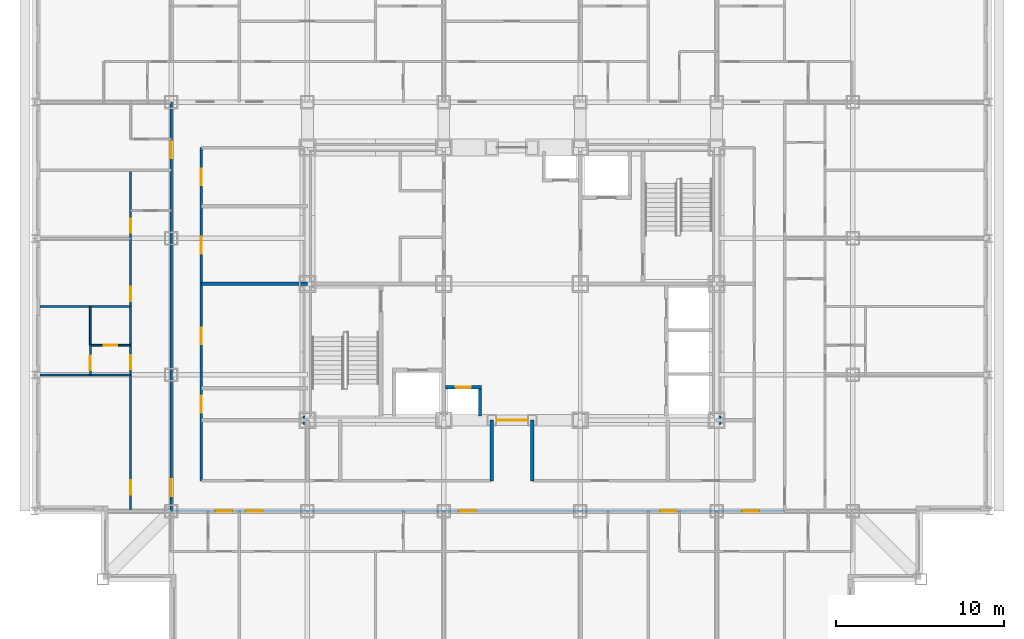
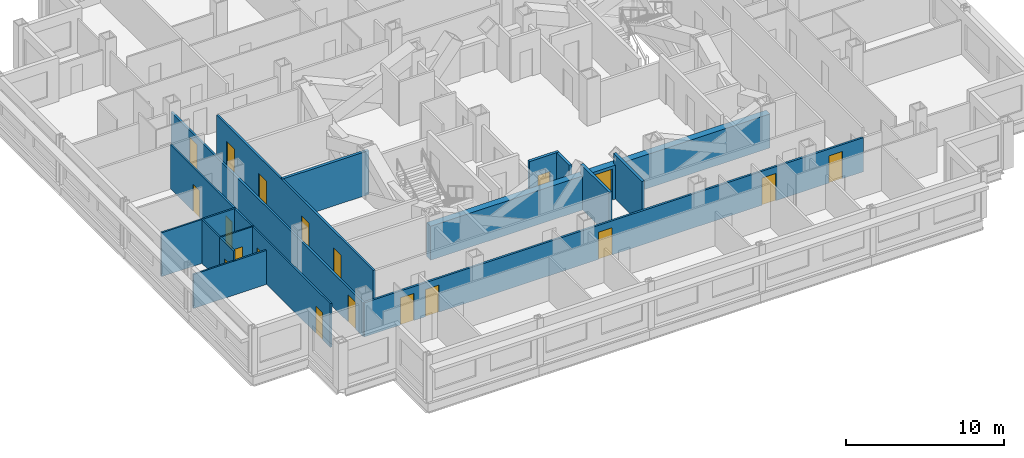
# One storey, part 5 of 12: 19 doors, 15 walls, 19 openings.
"""IFC4 building model written with IfcOpenShell, lengths in metres."""

from ifc_helpers import new_model, si_unit, direction, frame, frame_2d, origin, place, context, subcontext, project, spatial, rectangle, extrude, material, layer, layer_set, type_object, element, fill, save


model = new_model("IFC4")

# Units and contexts
model_context = context("Model", 3, precision=1e-05, world=origin(), true_north=direction((0.0, 1.0)))
body_context = subcontext(model_context, "Body", "Model", "MODEL_VIEW")
ifc_project = project(units=[si_unit("LENGTHUNIT", "METRE"), si_unit("AREAUNIT", "SQUARE_METRE"), si_unit("VOLUMEUNIT", "CUBIC_METRE"), si_unit("PLANEANGLEUNIT", "RADIAN"), si_unit("MASSUNIT", "GRAM", prefix="KILO")], contexts=[model_context])

# Site, building, storey
site_placement = place(None, origin())
site = spatial("IfcSite", under=ifc_project, at=site_placement, CompositionType="ELEMENT")
building_placement = place(site_placement, origin())
building = spatial("IfcBuilding", under=site, at=building_placement, Name="Kopane Lantern Tower", CompositionType="ELEMENT")
storey_placement = place(building_placement, frame((0.0, 0.0, 228.0)))
storey = spatial("IfcBuildingStorey", under=building, at=storey_placement, Name="L59", CompositionType="ELEMENT", Elevation=228.0)

# Wall, openings, doors
ifc_material_1 = material(Name="Gypsum board on steel studs", Category="steel")
ifc_layer_1 = layer(ifc_material_1, 0.1201171875)
ifc_layer_set_1 = layer_set([ifc_layer_1], Name="APARTMENT INTERNAL WALL 120")
wall_type_1 = type_object("IfcWallType", Name="APARTMENT INTERNAL WALL 120", PredefinedType="PARTITIONING", material=ifc_layer_set_1)
wall_1_placement = place(storey_placement, frame((5.699951171875, 18.89990234375, 0.0), z_axis=(0.0, 0.0, 1.0), x_axis=(0.0, 1.0, 0.0)))
wall_1 = element("IfcWall", 1, at=wall_1_placement, inside=storey, type_object=wall_type_1, Name="Apartment Internal Wall 120 L59", PredefinedType="PARTITIONING", context=body_context, shape_type="SweptSolid", body=[
    extrude(rectangle(XDim=20.25, YDim=0.1201171875, at=frame_2d((10.125, 0.0))), origin(), (0.0, 0.0, 1.0), 3.389892578125),
])
opening_1_placement = place(wall_1_placement, frame((0.97509765625, 0.0, 0.0)))
opening_1 = element("IfcOpeningElement", 2, at=opening_1_placement, cuts=wall_1, Name="Opening L59-034", PredefinedType="OPENING", context=body_context, shape_type="SweptSolid", body=[
    extrude(rectangle(XDim=0.85009765625, YDim=2.10009765625, at=frame_2d((0.425048828125, 1.050048828125))), frame((0.0, 0.070068359375, 0.0), z_axis=(0.0, -1.0, 0.0), x_axis=(1.0, 0.0, 0.0)), (0.0, 0.0, 1.0), 0.14013671875),
])
opening_2_placement = place(wall_1_placement, frame((8.425048828125, 0.0, 0.0)))
opening_2 = element("IfcOpeningElement", 3, at=opening_2_placement, cuts=wall_1, Name="Opening L59-036", PredefinedType="OPENING", context=body_context, shape_type="SweptSolid", body=[
    extrude(rectangle(XDim=0.85009765625, YDim=2.10009765625, at=frame_2d((0.425048828125, 1.050048828125))), frame((0.0, 0.070068359375, 0.0), z_axis=(0.0, -1.0, 0.0), x_axis=(1.0, 0.0, 0.0)), (0.0, 0.0, 1.0), 0.14013671875),
])
opening_3_placement = place(wall_1_placement, frame((12.47509765625, 0.0, 0.0)))
opening_3 = element("IfcOpeningElement", 4, at=opening_3_placement, cuts=wall_1, Name="Opening L59-037", PredefinedType="OPENING", context=body_context, shape_type="SweptSolid", body=[
    extrude(rectangle(XDim=0.85009765625, YDim=2.10009765625, at=frame_2d((0.425048828125, 1.050048828125))), frame((0.0, 0.070068359375, 0.0), z_axis=(0.0, -1.0, 0.0), x_axis=(1.0, 0.0, 0.0)), (0.0, 0.0, 1.0), 0.14013671875),
])
opening_4_placement = place(wall_1_placement, frame((16.52490234375, 0.0, 0.0)))
opening_4 = element("IfcOpeningElement", 5, at=opening_4_placement, cuts=wall_1, Name="Opening L59-038", PredefinedType="OPENING", context=body_context, shape_type="SweptSolid", body=[
    extrude(rectangle(XDim=0.85009765625, YDim=2.10009765625, at=frame_2d((0.425048828125, 1.050048828125))), frame((0.0, 0.070068359375, 0.0), z_axis=(0.0, -1.0, 0.0), x_axis=(1.0, 0.0, 0.0)), (0.0, 0.0, 1.0), 0.14013671875),
])
ifc_material_2 = material(Name="Timber door set", Category="wood")
door_type_1 = type_object("IfcDoorType", Name="DOOR D4 850x2100", OperationType="SINGLE_SWING_LEFT", PredefinedType="DOOR", material=ifc_material_2)
door_1_placement = place(opening_1_placement, origin())
door_1 = element("IfcDoor", 6, at=door_1_placement, inside=storey, type_object=door_type_1, Name="Door L59-034", OperationType="SINGLE_SWING_RIGHT", OverallHeight=2.10009765625, OverallWidth=0.85009765625, PredefinedType="DOOR", context=body_context, shape_type="SweptSolid", body=[
    extrude(rectangle(XDim=0.85009765625, YDim=2.10009765625, at=frame_2d((0.425048828125, 1.050048828125))), frame((0.0, 0.02490234375, 0.0), z_axis=(0.0, -1.0, 0.0), x_axis=(1.0, 0.0, 0.0)), (0.0, 0.0, 1.0), 0.050048828125),
])
fill(opening_1, door_1)
door_2_placement = place(opening_2_placement, origin())
door_2 = element("IfcDoor", 7, at=door_2_placement, inside=storey, type_object=door_type_1, Name="Door L59-036", OperationType="SINGLE_SWING_LEFT", OverallHeight=2.10009765625, OverallWidth=0.85009765625, PredefinedType="DOOR", context=body_context, shape_type="SweptSolid", body=[
    extrude(rectangle(XDim=0.85009765625, YDim=2.10009765625, at=frame_2d((0.425048828125, 1.050048828125))), frame((0.0, 0.02490234375, 0.0), z_axis=(0.0, -1.0, 0.0), x_axis=(1.0, 0.0, 0.0)), (0.0, 0.0, 1.0), 0.050048828125),
])
fill(opening_2, door_2)
door_3_placement = place(opening_3_placement, origin())
door_3 = element("IfcDoor", 8, at=door_3_placement, inside=storey, type_object=door_type_1, Name="Door L59-037", OperationType="SINGLE_SWING_LEFT", OverallHeight=2.10009765625, OverallWidth=0.85009765625, PredefinedType="DOOR", context=body_context, shape_type="SweptSolid", body=[
    extrude(rectangle(XDim=0.85009765625, YDim=2.10009765625, at=frame_2d((0.425048828125, 1.050048828125))), frame((0.0, 0.02490234375, 0.0), z_axis=(0.0, -1.0, 0.0), x_axis=(1.0, 0.0, 0.0)), (0.0, 0.0, 1.0), 0.050048828125),
])
fill(opening_3, door_3)
door_4_placement = place(opening_4_placement, origin())
door_4 = element("IfcDoor", 9, at=door_4_placement, inside=storey, type_object=door_type_1, Name="Door L59-038", OperationType="SINGLE_SWING_LEFT", OverallHeight=2.10009765625, OverallWidth=0.85009765625, PredefinedType="DOOR", context=body_context, shape_type="SweptSolid", body=[
    extrude(rectangle(XDim=0.85009765625, YDim=2.10009765625, at=frame_2d((0.425048828125, 1.050048828125))), frame((0.0, 0.02490234375, 0.0), z_axis=(0.0, -1.0, 0.0), x_axis=(1.0, 0.0, 0.0)), (0.0, 0.0, 1.0), 0.050048828125),
])
fill(opening_4, door_4)

# Walls
wall_2_placement = place(storey_placement, frame((5.699951171875, 27.0, 0.0), z_axis=(0.0, 0.0, 1.0), x_axis=(-1.0, 0.0, 0.0)))
element("IfcWall", 10, at=wall_2_placement, inside=storey, type_object=wall_type_1, Name="Apartment Internal Wall 120 L59", PredefinedType="PARTITIONING", context=body_context, shape_type="SweptSolid", body=[
    extrude(rectangle(XDim=5.39990234375, YDim=0.1201171875, at=frame_2d((2.699951171875, 0.0))), origin(), (0.0, 0.0, 1.0), 2.627685546875),
])
wall_3_placement = place(storey_placement, frame((5.699951171875, 31.050048828125, 0.0), z_axis=(0.0, 0.0, 1.0), x_axis=(-1.0, 0.0, 0.0)))
element("IfcWall", 11, at=wall_3_placement, inside=storey, type_object=wall_type_1, Name="Apartment Internal Wall 120 L59", PredefinedType="PARTITIONING", context=body_context, shape_type="SweptSolid", body=[
    extrude(rectangle(XDim=5.39990234375, YDim=0.1201171875, at=frame_2d((2.699951171875, 0.0))), origin(), (0.0, 0.0, 1.0), 3.389892578125),
])

# Wall, opening, door
wall_4_placement = place(storey_placement, frame((3.300048828125, 27.0, 0.0), z_axis=(0.0, 0.0, 1.0), x_axis=(0.0, 1.0, 0.0)))
wall_4 = element("IfcWall", 12, at=wall_4_placement, inside=storey, type_object=wall_type_1, Name="Apartment Internal Wall 120 L59", PredefinedType="PARTITIONING", context=body_context, shape_type="SweptSolid", body=[
    extrude(rectangle(XDim=1.760009765625, YDim=0.1201171875, at=frame_2d((0.8798828125, 0.0))), origin(), (0.0, 0.0, 1.0), 3.389892578125),
])
opening_5_placement = place(wall_4_placement, frame((0.27490234375, 0.0, 0.0)))
opening_5 = element("IfcOpeningElement", 13, at=opening_5_placement, cuts=wall_4, Name="Opening L59-068", PredefinedType="OPENING", context=body_context, shape_type="SweptSolid", body=[
    extrude(rectangle(XDim=0.85009765625, YDim=2.10009765625, at=frame_2d((0.425048828125, 1.050048828125))), frame((0.0, 0.070068359375, 0.0), z_axis=(0.0, -1.0, 0.0), x_axis=(1.0, 0.0, 0.0)), (0.0, 0.0, 1.0), 0.14013671875),
])
door_5_placement = place(opening_5_placement, origin())
door_5 = element("IfcDoor", 14, at=door_5_placement, inside=storey, type_object=door_type_1, Name="Door L59-068", OperationType="SINGLE_SWING_LEFT", OverallHeight=2.10009765625, OverallWidth=0.85009765625, PredefinedType="DOOR", context=body_context, shape_type="SweptSolid", body=[
    extrude(rectangle(XDim=0.85009765625, YDim=2.10009765625, at=frame_2d((0.425048828125, 1.050048828125))), frame((0.0, 0.02490234375, 0.0), z_axis=(0.0, -1.0, 0.0), x_axis=(1.0, 0.0, 0.0)), (0.0, 0.0, 1.0), 0.050048828125),
])
fill(opening_5, door_5)

ifc_material_3 = material(Name="Moisture-resistant board on steel studs", Category="steel")
ifc_layer_2 = layer(ifc_material_3, 0.10009765625)
ifc_layer_set_2 = layer_set([ifc_layer_2], Name="BATHROOM WALL 100")
wall_type_2 = type_object("IfcWallType", Name="BATHROOM WALL 100", PredefinedType="PARTITIONING", material=ifc_layer_set_2)
wall_5_placement = place(storey_placement, frame((5.699951171875, 28.75, 0.0), z_axis=(0.0, 0.0, 1.0), x_axis=(-1.0, 0.0, 0.0)))
wall_5 = element("IfcWall", 15, at=wall_5_placement, inside=storey, type_object=wall_type_2, Name="Bathroom Wall 100 L59", PredefinedType="PARTITIONING", context=body_context, shape_type="SweptSolid", body=[
    extrude(rectangle(XDim=2.39990234375, YDim=0.10009765625, at=frame_2d((1.199951171875, 0.0))), origin(), (0.0, 0.0, 1.0), 3.389892578125),
])
opening_6_placement = place(wall_5_placement, frame((0.800048828125, 0.0, 0.0)))
opening_6 = element("IfcOpeningElement", 16, at=opening_6_placement, cuts=wall_5, Name="Opening L59-035", PredefinedType="OPENING", context=body_context, shape_type="SweptSolid", body=[
    extrude(rectangle(XDim=0.800048828125, YDim=2.10009765625, at=frame_2d((0.39990234375, 1.050048828125))), frame((0.0, 0.06005859375, 0.0), z_axis=(0.0, -1.0, 0.0), x_axis=(1.0, 0.0, 0.0)), (0.0, 0.0, 1.0), 0.1201171875),
])
ifc_material_4 = material(Name="Timber door set", Category="wood")
door_type_2 = type_object("IfcDoorType", Name="DOOR D2 800x2100", OperationType="SINGLE_SWING_LEFT", PredefinedType="DOOR", material=ifc_material_4)
door_6_placement = place(opening_6_placement, origin())
door_6 = element("IfcDoor", 17, at=door_6_placement, inside=storey, type_object=door_type_2, Name="Door L59-035", OperationType="SINGLE_SWING_RIGHT", OverallHeight=2.10009765625, OverallWidth=0.800048828125, PredefinedType="DOOR", context=body_context, shape_type="SweptSolid", body=[
    extrude(rectangle(XDim=0.800048828125, YDim=2.10009765625, at=frame_2d((0.39990234375, 1.050048828125))), frame((0.0, 0.02490234375, 0.0), z_axis=(0.0, -1.0, 0.0), x_axis=(1.0, 0.0, 0.0)), (0.0, 0.0, 1.0), 0.050048828125),
])
fill(opening_6, door_6)

# Wall
wall_6_placement = place(storey_placement, frame((3.300048828125, 28.75, 0.0), z_axis=(0.0, 0.0, 1.0), x_axis=(0.0, 1.0, 0.0)))
element("IfcWall", 18, at=wall_6_placement, inside=storey, type_object=wall_type_2, Name="Bathroom Wall 100 L59", PredefinedType="PARTITIONING", context=body_context, shape_type="SweptSolid", body=[
    extrude(rectangle(XDim=2.300048828125, YDim=0.10009765625, at=frame_2d((1.14990234375, 0.0))), origin(), (0.0, 0.0, 1.0), 3.389892578125),
])

# Wall, opening, door
ifc_material_5 = material(Name="Gypsum shaft wall EI 120", Category="gypsum")
ifc_layer_3 = layer(ifc_material_5, 0.5)
ifc_layer_set_3 = layer_set([ifc_layer_3], Name="CORE PERIMETER WALL 500 EI 120")
wall_type_3 = type_object("IfcWallType", Name="CORE PERIMETER WALL 500 EI 120", PredefinedType="SOLIDWALL", material=ifc_layer_set_3)
wall_7_placement = place(storey_placement, frame((15.949951171875, 24.300048828125, 0.0), z_axis=(0.0, 0.0, 1.0), x_axis=(1.0, 0.0, 0.0)))
wall_7 = element("IfcWall", 19, at=wall_7_placement, inside=storey, type_object=wall_type_3, Name="Core shaft wall L59 PS", PredefinedType="SOLIDWALL", context=body_context, shape_type="SweptSolid", body=[
    extrude(rectangle(XDim=24.800048828125, YDim=0.5, at=frame_2d((12.39990234375, 0.0))), origin(), (0.0, 0.0, 1.0), 2.627685546875),
])
opening_7_placement = place(wall_7_placement, frame((11.5, 0.0, 0.0)))
opening_7 = element("IfcOpeningElement", 20, at=opening_7_placement, cuts=wall_7, Name="Opening 59.CE-S", PredefinedType="OPENING", context=body_context, shape_type="SweptSolid", body=[
    extrude(rectangle(XDim=1.800048828125, YDim=2.39990234375, at=frame_2d((0.89990234375, 1.199951171875))), frame((0.0, 0.260009765625, 0.0), z_axis=(0.0, -1.0, 0.0), x_axis=(1.0, 0.0, 0.0)), (0.0, 0.0, 1.0), 0.52001953125),
])
ifc_material_6 = material(Name="Steel door set", Category="steel")
door_type_3 = type_object("IfcDoorType", Name="CORE ENTRY DOOR 1800x2400 FD60S", OperationType="DOUBLE_DOOR_SINGLE_SWING", PredefinedType="DOOR", material=ifc_material_6)
door_7_placement = place(opening_7_placement, origin())
door_7 = element("IfcDoor", 21, at=door_7_placement, inside=storey, type_object=door_type_3, Name="Core entry door L59 south", OperationType="DOUBLE_DOOR_SINGLE_SWING", OverallHeight=2.39990234375, OverallWidth=1.800048828125, PredefinedType="DOOR", context=body_context, shape_type="SweptSolid", body=[
    extrude(rectangle(XDim=1.800048828125, YDim=2.39990234375, at=frame_2d((0.89990234375, 1.199951171875))), frame((0.0, 0.02490234375, 0.0), z_axis=(0.0, -1.0, 0.0), x_axis=(1.0, 0.0, 0.0)), (0.0, 0.0, 1.0), 0.050048828125),
])
fill(opening_7, door_7)

# Wall, openings, doors
ifc_material_7 = material(Name="Gypsum board on steel studs", Category="steel")
ifc_layer_4 = layer(ifc_material_7, 0.14990234375)
ifc_layer_set_4 = layer_set([ifc_layer_4], Name="CORRIDOR WALL 150 EI 60")
wall_type_4 = type_object("IfcWallType", Name="CORRIDOR WALL 150 EI 60", PredefinedType="PARTITIONING", material=ifc_layer_set_4)
wall_8_placement = place(storey_placement, frame((8.10009765625, 18.89990234375, 0.0), z_axis=(0.0, 0.0, 1.0), x_axis=(1.0, 0.0, 0.0)))
wall_8 = element("IfcWall", 22, at=wall_8_placement, inside=storey, type_object=wall_type_4, Name="Corridor Wall 150 Ei 60 L59", PredefinedType="PARTITIONING", context=body_context, shape_type="SweptSolid", body=[
    extrude(rectangle(XDim=36.449951171875, YDim=0.14990234375, at=frame_2d((18.22509765625, 0.0))), origin(), (0.0, 0.0, 1.0), 2.627685546875),
])
opening_8_placement = place(wall_8_placement, frame((4.449951171875, 0.0, 0.0)))
opening_8 = element("IfcOpeningElement", 23, at=opening_8_placement, cuts=wall_8, Name="Opening L59-013", PredefinedType="OPENING", context=body_context, shape_type="SweptSolid", body=[
    extrude(rectangle(XDim=1.0, YDim=2.10009765625, at=frame_2d((0.5, 1.050048828125))), frame((0.0, 0.0849609375, 0.0), z_axis=(0.0, -1.0, 0.0), x_axis=(1.0, 0.0, 0.0)), (0.0, 0.0, 1.0), 0.169921875),
])
opening_9_placement = place(wall_8_placement, frame((17.10009765625, 0.0, 0.0)))
opening_9 = element("IfcOpeningElement", 24, at=opening_9_placement, cuts=wall_8, Name="Opening L59-017", PredefinedType="OPENING", context=body_context, shape_type="SweptSolid", body=[
    extrude(rectangle(XDim=1.0, YDim=2.10009765625, at=frame_2d((0.5, 1.050048828125))), frame((0.0, 0.0849609375, 0.0), z_axis=(0.0, -1.0, 0.0), x_axis=(1.0, 0.0, 0.0)), (0.0, 0.0, 1.0), 0.169921875),
])
opening_10_placement = place(wall_8_placement, frame((29.050048828125, 0.0, 0.0)))
opening_10 = element("IfcOpeningElement", 25, at=opening_10_placement, cuts=wall_8, Name="Opening L59-021", PredefinedType="OPENING", context=body_context, shape_type="SweptSolid", body=[
    extrude(rectangle(XDim=1.0, YDim=2.10009765625, at=frame_2d((0.5, 1.050048828125))), frame((0.0, 0.0849609375, 0.0), z_axis=(0.0, -1.0, 0.0), x_axis=(1.0, 0.0, 0.0)), (0.0, 0.0, 1.0), 0.169921875),
])
opening_11_placement = place(wall_8_placement, frame((2.625, 0.0, 0.0)))
opening_11 = element("IfcOpeningElement", 26, at=opening_11_placement, cuts=wall_8, Name="Opening L59-052", PredefinedType="OPENING", context=body_context, shape_type="SweptSolid", body=[
    extrude(rectangle(XDim=1.0, YDim=2.10009765625, at=frame_2d((0.5, 1.050048828125))), frame((0.0, 0.0849609375, 0.0), z_axis=(0.0, -1.0, 0.0), x_axis=(1.0, 0.0, 0.0)), (0.0, 0.0, 1.0), 0.169921875),
])
opening_12_placement = place(wall_8_placement, frame((33.925048828125, 0.0, 0.0)))
opening_12 = element("IfcOpeningElement", 27, at=opening_12_placement, cuts=wall_8, Name="Opening L59-054", PredefinedType="OPENING", context=body_context, shape_type="SweptSolid", body=[
    extrude(rectangle(XDim=1.0, YDim=2.10009765625, at=frame_2d((0.5, 1.050048828125))), frame((0.0, 0.0849609375, 0.0), z_axis=(0.0, -1.0, 0.0), x_axis=(1.0, 0.0, 0.0)), (0.0, 0.0, 1.0), 0.169921875),
])
ifc_material_8 = material(Name="Steel door set", Category="steel")
door_type_4 = type_object("IfcDoorType", Name="DOOR D3 1000x2100 FD30S", OperationType="SINGLE_SWING_LEFT", PredefinedType="DOOR", material=ifc_material_8)
door_8_placement = place(opening_8_placement, origin())
door_8 = element("IfcDoor", 28, at=door_8_placement, inside=storey, type_object=door_type_4, Name="Door L59-013", OperationType="SINGLE_SWING_RIGHT", OverallHeight=2.10009765625, OverallWidth=1.0, PredefinedType="DOOR", context=body_context, shape_type="SweptSolid", body=[
    extrude(rectangle(XDim=1.0, YDim=2.10009765625, at=frame_2d((0.5, 1.050048828125))), frame((0.0, 0.02490234375, 0.0), z_axis=(0.0, -1.0, 0.0), x_axis=(1.0, 0.0, 0.0)), (0.0, 0.0, 1.0), 0.050048828125),
])
fill(opening_8, door_8)
door_9_placement = place(opening_9_placement, origin())
door_9 = element("IfcDoor", 29, at=door_9_placement, inside=storey, type_object=door_type_4, Name="Door L59-017", OperationType="SINGLE_SWING_RIGHT", OverallHeight=2.10009765625, OverallWidth=1.0, PredefinedType="DOOR", context=body_context, shape_type="SweptSolid", body=[
    extrude(rectangle(XDim=1.0, YDim=2.10009765625, at=frame_2d((0.5, 1.050048828125))), frame((0.0, 0.02490234375, 0.0), z_axis=(0.0, -1.0, 0.0), x_axis=(1.0, 0.0, 0.0)), (0.0, 0.0, 1.0), 0.050048828125),
])
fill(opening_9, door_9)
door_10_placement = place(opening_10_placement, origin())
door_10 = element("IfcDoor", 30, at=door_10_placement, inside=storey, type_object=door_type_4, Name="Door L59-021", OperationType="SINGLE_SWING_LEFT", OverallHeight=2.10009765625, OverallWidth=1.0, PredefinedType="DOOR", context=body_context, shape_type="SweptSolid", body=[
    extrude(rectangle(XDim=1.0, YDim=2.10009765625, at=frame_2d((0.5, 1.050048828125))), frame((0.0, 0.02490234375, 0.0), z_axis=(0.0, -1.0, 0.0), x_axis=(1.0, 0.0, 0.0)), (0.0, 0.0, 1.0), 0.050048828125),
])
fill(opening_10, door_10)
door_11_placement = place(opening_11_placement, origin())
door_11 = element("IfcDoor", 31, at=door_11_placement, inside=storey, type_object=door_type_4, Name="Door L59-052", OperationType="SINGLE_SWING_RIGHT", OverallHeight=2.10009765625, OverallWidth=1.0, PredefinedType="DOOR", context=body_context, shape_type="SweptSolid", body=[
    extrude(rectangle(XDim=1.0, YDim=2.10009765625, at=frame_2d((0.5, 1.050048828125))), frame((0.0, 0.02490234375, 0.0), z_axis=(0.0, -1.0, 0.0), x_axis=(1.0, 0.0, 0.0)), (0.0, 0.0, 1.0), 0.050048828125),
])
fill(opening_11, door_11)
door_12_placement = place(opening_12_placement, origin())
door_12 = element("IfcDoor", 32, at=door_12_placement, inside=storey, type_object=door_type_4, Name="Door L59-054", OperationType="SINGLE_SWING_RIGHT", OverallHeight=2.10009765625, OverallWidth=1.0, PredefinedType="DOOR", context=body_context, shape_type="SweptSolid", body=[
    extrude(rectangle(XDim=1.0, YDim=2.10009765625, at=frame_2d((0.5, 1.050048828125))), frame((0.0, 0.02490234375, 0.0), z_axis=(0.0, -1.0, 0.0), x_axis=(1.0, 0.0, 0.0)), (0.0, 0.0, 1.0), 0.050048828125),
])
fill(opening_12, door_12)

wall_9_placement = place(storey_placement, frame((8.10009765625, 18.89990234375, 0.0), z_axis=(0.0, 0.0, 1.0), x_axis=(0.0, 1.0, 0.0)))
wall_9 = element("IfcWall", 33, at=wall_9_placement, inside=storey, type_object=wall_type_4, Name="Corridor Wall 150 Ei 60 L59", PredefinedType="PARTITIONING", context=body_context, shape_type="SweptSolid", body=[
    extrude(rectangle(XDim=24.300048828125, YDim=0.14990234375, at=frame_2d((12.14990234375, 0.0))), origin(), (0.0, 0.0, 1.0), 2.627685546875),
])
opening_13_placement = place(wall_9_placement, frame((0.89990234375, 0.0, 0.0)))
opening_13 = element("IfcOpeningElement", 34, at=opening_13_placement, cuts=wall_9, Name="Opening L59-033", PredefinedType="OPENING", context=body_context, shape_type="SweptSolid", body=[
    extrude(rectangle(XDim=1.0, YDim=2.10009765625, at=frame_2d((0.5, 1.050048828125))), frame((0.0, 0.0849609375, 0.0), z_axis=(0.0, -1.0, 0.0), x_axis=(1.0, 0.0, 0.0)), (0.0, 0.0, 1.0), 0.169921875),
])
opening_14_placement = place(wall_9_placement, frame((20.949951171875, 0.0, 0.0)))
opening_14 = element("IfcOpeningElement", 35, at=opening_14_placement, cuts=wall_9, Name="Opening L59-040", PredefinedType="OPENING", context=body_context, shape_type="SweptSolid", body=[
    extrude(rectangle(XDim=1.0, YDim=2.10009765625, at=frame_2d((0.5, 1.050048828125))), frame((0.0, 0.0849609375, 0.0), z_axis=(0.0, -1.0, 0.0), x_axis=(1.0, 0.0, 0.0)), (0.0, 0.0, 1.0), 0.169921875),
])
door_13_placement = place(opening_13_placement, origin())
door_13 = element("IfcDoor", 36, at=door_13_placement, inside=storey, type_object=door_type_4, Name="Door L59-033", OperationType="SINGLE_SWING_LEFT", OverallHeight=2.10009765625, OverallWidth=1.0, PredefinedType="DOOR", context=body_context, shape_type="SweptSolid", body=[
    extrude(rectangle(XDim=1.0, YDim=2.10009765625, at=frame_2d((0.5, 1.050048828125))), frame((0.0, 0.02490234375, 0.0), z_axis=(0.0, -1.0, 0.0), x_axis=(1.0, 0.0, 0.0)), (0.0, 0.0, 1.0), 0.050048828125),
])
fill(opening_13, door_13)
door_14_placement = place(opening_14_placement, origin())
door_14 = element("IfcDoor", 37, at=door_14_placement, inside=storey, type_object=door_type_4, Name="Door L59-040", OperationType="SINGLE_SWING_RIGHT", OverallHeight=2.10009765625, OverallWidth=1.0, PredefinedType="DOOR", context=body_context, shape_type="SweptSolid", body=[
    extrude(rectangle(XDim=1.0, YDim=2.10009765625, at=frame_2d((0.5, 1.050048828125))), frame((0.0, 0.02490234375, 0.0), z_axis=(0.0, -1.0, 0.0), x_axis=(1.0, 0.0, 0.0)), (0.0, 0.0, 1.0), 0.050048828125),
])
fill(opening_14, door_14)

wall_10_placement = place(storey_placement, frame((9.89990234375, 40.5, 0.0), z_axis=(0.0, 0.0, 1.0), x_axis=(0.0, -1.0, 0.0)))
wall_10 = element("IfcWall", 38, at=wall_10_placement, inside=storey, type_object=wall_type_4, Name="Corridor Wall 150 Ei 60 L59", PredefinedType="PARTITIONING", context=body_context, shape_type="SweptSolid", body=[
    extrude(rectangle(XDim=19.800048828125, YDim=0.14990234375, at=frame_2d((9.89990234375, 0.0))), origin(), (0.0, 0.0, 1.0), 3.389892578125),
])
opening_15_placement = place(wall_10_placement, frame((14.74755859375, 0.0, 0.0)))
opening_15 = element("IfcOpeningElement", 39, at=opening_15_placement, cuts=wall_10, Name="Opening L59-001", PredefinedType="OPENING", context=body_context, shape_type="SweptSolid", body=[
    extrude(rectangle(XDim=1.0, YDim=2.10009765625, at=frame_2d((0.5, 1.050048828125))), frame((0.0, 0.0849609375, 0.0), z_axis=(0.0, -1.0, 0.0), x_axis=(1.0, 0.0, 0.0)), (0.0, 0.0, 1.0), 0.169921875),
])
opening_16_placement = place(wall_10_placement, frame((10.697509765625, 0.0, 0.0)))
opening_16 = element("IfcOpeningElement", 40, at=opening_16_placement, cuts=wall_10, Name="Opening L59-002", PredefinedType="OPENING", context=body_context, shape_type="SweptSolid", body=[
    extrude(rectangle(XDim=1.0, YDim=2.10009765625, at=frame_2d((0.5, 1.050048828125))), frame((0.0, 0.0849609375, 0.0), z_axis=(0.0, -1.0, 0.0), x_axis=(1.0, 0.0, 0.0)), (0.0, 0.0, 1.0), 0.169921875),
])
opening_17_placement = place(wall_10_placement, frame((5.29833984375, 0.0, 0.0)))
opening_17 = element("IfcOpeningElement", 41, at=opening_17_placement, cuts=wall_10, Name="Opening L59-003", PredefinedType="OPENING", context=body_context, shape_type="SweptSolid", body=[
    extrude(rectangle(XDim=1.0, YDim=2.10009765625, at=frame_2d((0.5, 1.050048828125))), frame((0.0, 0.0849609375, 0.0), z_axis=(0.0, -1.0, 0.0), x_axis=(1.0, 0.0, 0.0)), (0.0, 0.0, 1.0), 0.169921875),
])
opening_18_placement = place(wall_10_placement, frame((1.248291015625, 0.0, 0.0)))
opening_18 = element("IfcOpeningElement", 42, at=opening_18_placement, cuts=wall_10, Name="Opening L59-004", PredefinedType="OPENING", context=body_context, shape_type="SweptSolid", body=[
    extrude(rectangle(XDim=1.0, YDim=2.10009765625, at=frame_2d((0.5, 1.050048828125))), frame((0.0, 0.0849609375, 0.0), z_axis=(0.0, -1.0, 0.0), x_axis=(1.0, 0.0, 0.0)), (0.0, 0.0, 1.0), 0.169921875),
])
ifc_material_9 = material(Name="Steel door set", Category="steel")
door_type_5 = type_object("IfcDoorType", Name="DOOR D5 1000x2100 FD60", OperationType="SINGLE_SWING_LEFT", PredefinedType="DOOR", material=ifc_material_9)
door_15_placement = place(opening_15_placement, origin())
door_15 = element("IfcDoor", 43, at=door_15_placement, inside=storey, type_object=door_type_5, Name="Door L59-001", OperationType="SINGLE_SWING_RIGHT", OverallHeight=2.10009765625, OverallWidth=1.0, PredefinedType="DOOR", context=body_context, shape_type="SweptSolid", body=[
    extrude(rectangle(XDim=1.0, YDim=2.10009765625, at=frame_2d((0.5, 1.050048828125))), frame((0.0, 0.02490234375, 0.0), z_axis=(0.0, -1.0, 0.0), x_axis=(1.0, 0.0, 0.0)), (0.0, 0.0, 1.0), 0.050048828125),
])
fill(opening_15, door_15)
door_16_placement = place(opening_16_placement, origin())
door_16 = element("IfcDoor", 44, at=door_16_placement, inside=storey, type_object=door_type_5, Name="Door L59-002", OperationType="SINGLE_SWING_LEFT", OverallHeight=2.10009765625, OverallWidth=1.0, PredefinedType="DOOR", context=body_context, shape_type="SweptSolid", body=[
    extrude(rectangle(XDim=1.0, YDim=2.10009765625, at=frame_2d((0.5, 1.050048828125))), frame((0.0, 0.02490234375, 0.0), z_axis=(0.0, -1.0, 0.0), x_axis=(1.0, 0.0, 0.0)), (0.0, 0.0, 1.0), 0.050048828125),
])
fill(opening_16, door_16)
door_17_placement = place(opening_17_placement, origin())
door_17 = element("IfcDoor", 45, at=door_17_placement, inside=storey, type_object=door_type_5, Name="Door L59-003", OperationType="SINGLE_SWING_RIGHT", OverallHeight=2.10009765625, OverallWidth=1.0, PredefinedType="DOOR", context=body_context, shape_type="SweptSolid", body=[
    extrude(rectangle(XDim=1.0, YDim=2.10009765625, at=frame_2d((0.5, 1.050048828125))), frame((0.0, 0.02490234375, 0.0), z_axis=(0.0, -1.0, 0.0), x_axis=(1.0, 0.0, 0.0)), (0.0, 0.0, 1.0), 0.050048828125),
])
fill(opening_17, door_17)
door_18_placement = place(opening_18_placement, origin())
door_18 = element("IfcDoor", 46, at=door_18_placement, inside=storey, type_object=door_type_5, Name="Door L59-004", OperationType="SINGLE_SWING_LEFT", OverallHeight=2.10009765625, OverallWidth=1.0, PredefinedType="DOOR", context=body_context, shape_type="SweptSolid", body=[
    extrude(rectangle(XDim=1.0, YDim=2.10009765625, at=frame_2d((0.5, 1.050048828125))), frame((0.0, 0.02490234375, 0.0), z_axis=(0.0, -1.0, 0.0), x_axis=(1.0, 0.0, 0.0)), (0.0, 0.0, 1.0), 0.050048828125),
])
fill(opening_18, door_18)

# Walls
ifc_material_10 = material(Name="Concrete masonry", Category="masonry")
ifc_layer_5 = layer(ifc_material_10, 0.199951171875)
ifc_layer_set_5 = layer_set([ifc_layer_5], Name="PLANT ROOM WALL 200 EI 120")
wall_type_5 = type_object("IfcWallType", Name="PLANT ROOM WALL 200 EI 120", PredefinedType="SOLIDWALL", material=ifc_layer_set_5)
wall_11_placement = place(storey_placement, frame((9.89990234375, 32.39990234375, 0.0), z_axis=(0.0, 0.0, 1.0), x_axis=(1.0, 0.0, 0.0)))
element("IfcWall", 47, at=wall_11_placement, inside=storey, type_object=wall_type_5, Name="Plant Room Wall 200 Ei 120 L59", PredefinedType="SOLIDWALL", context=body_context, shape_type="SweptSolid", body=[
    extrude(rectangle(XDim=6.300048828125, YDim=0.199951171875, at=frame_2d((3.14990234375, 0.0))), origin(), (0.0, 0.0, 1.0), 3.389892578125),
])
for number, where, z_axis, x_axis, name in (
    (48, (27.14990234375, 20.699951171875, 0.0), (0.0, 0.0, 1.0), (0.0, 1.0, 0.0), "Plant Room Wall 200 Ei 120 L59"),
    (49, (29.550048828125, 20.699951171875, 0.0), (0.0, 0.0, 1.0), (0.0, 1.0, 0.0), "Plant Room Wall 200 Ei 120 L59"),
):
    element("IfcWall", number, at=place(storey_placement, frame(where, z_axis=z_axis, x_axis=x_axis)), inside=storey, type_object=wall_type_5, Name=name, PredefinedType="SOLIDWALL", context=body_context, shape_type="SweptSolid", body=[
        extrude(rectangle(XDim=3.60009765625, YDim=0.199951171875, at=frame_2d((1.800048828125, 0.0))), origin(), (0.0, 0.0, 1.0), 3.389892578125),
    ])
ifc_material_11 = material(Name="Gypsum shaft wall EI 120", Category="gypsum")
ifc_layer_6 = layer(ifc_material_11, 0.199951171875)
ifc_layer_set_6 = layer_set([ifc_layer_6], Name="SHAFT WALL 200 EI 120")
wall_type_6 = type_object("IfcWallType", Name="SHAFT WALL 200 EI 120", PredefinedType="SOLIDWALL", material=ifc_layer_set_6)
wall_12_placement = place(storey_placement, frame((26.449951171875, 24.550048828125, 0.0), z_axis=(0.0, 0.0, 1.0), x_axis=(0.0, 1.0, 0.0)))
element("IfcWall", 50, at=wall_12_placement, inside=storey, type_object=wall_type_6, Name="Core shaft wall L59 XRS1", PredefinedType="SOLIDWALL", context=body_context, shape_type="SweptSolid", body=[
    extrude(rectangle(XDim=1.599853515625, YDim=0.199951171875, at=frame_2d((0.7998046875, 0.0))), origin(), (0.0, 0.0, 1.0), 3.389892578125),
])

# Wall, opening, door
wall_13_placement = place(storey_placement, frame((24.39990234375, 26.25, 0.0), z_axis=(0.0, 0.0, 1.0), x_axis=(1.0, 0.0, 0.0)))
wall_13 = element("IfcWall", 51, at=wall_13_placement, inside=storey, type_object=wall_type_6, Name="Core shaft wall L59 YRS1", PredefinedType="SOLIDWALL", context=body_context, shape_type="SweptSolid", body=[
    extrude(rectangle(XDim=2.150146484375, YDim=0.199951171875, at=frame_2d((1.0751953125, 0.0))), origin(), (0.0, 0.0, 1.0), 3.389892578125),
])
opening_19_placement = place(wall_13_placement, frame((0.60009765625, 0.0, 0.0)))
opening_19 = element("IfcOpeningElement", 52, at=opening_19_placement, cuts=wall_13, Name="Opening 59.RS1", PredefinedType="OPENING", context=body_context, shape_type="SweptSolid", body=[
    extrude(rectangle(XDim=0.89990234375, YDim=2.10009765625, at=frame_2d((0.449951171875, 1.050048828125))), frame((0.0, 0.10986328125, 0.0), z_axis=(0.0, -1.0, 0.0), x_axis=(1.0, 0.0, 0.0)), (0.0, 0.0, 1.0), 0.219970703125),
])
ifc_material_12 = material(Name="Steel door set", Category="steel")
door_type_6 = type_object("IfcDoorType", Name="RISER ACCESS DOOR 900x2100 FD60", OperationType="SINGLE_SWING_LEFT", PredefinedType="DOOR", material=ifc_material_12)
door_19_placement = place(opening_19_placement, origin())
door_19 = element("IfcDoor", 53, at=door_19_placement, inside=storey, type_object=door_type_6, Name="Riser access door RS1 L59", OperationType="SINGLE_SWING_LEFT", OverallHeight=2.10009765625, OverallWidth=0.89990234375, PredefinedType="DOOR", context=body_context, shape_type="SweptSolid", body=[
    extrude(rectangle(XDim=0.89990234375, YDim=2.10009765625, at=frame_2d((0.449951171875, 1.050048828125))), frame((0.0, 0.02490234375, 0.0), z_axis=(0.0, -1.0, 0.0), x_axis=(1.0, 0.0, 0.0)), (0.0, 0.0, 1.0), 0.050048828125),
])
fill(opening_19, door_19)

save(model, "model.ifc")
